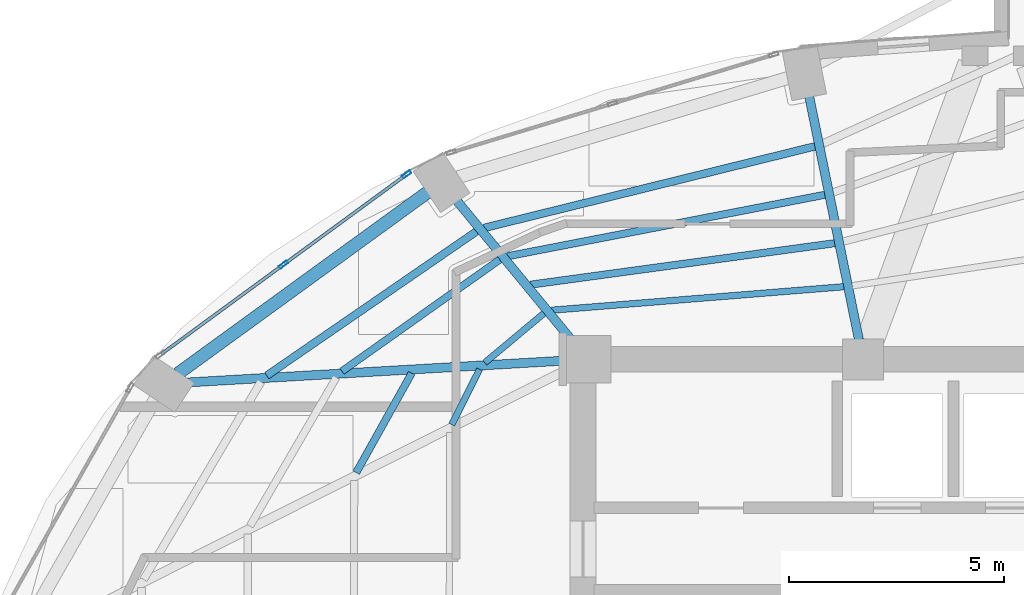
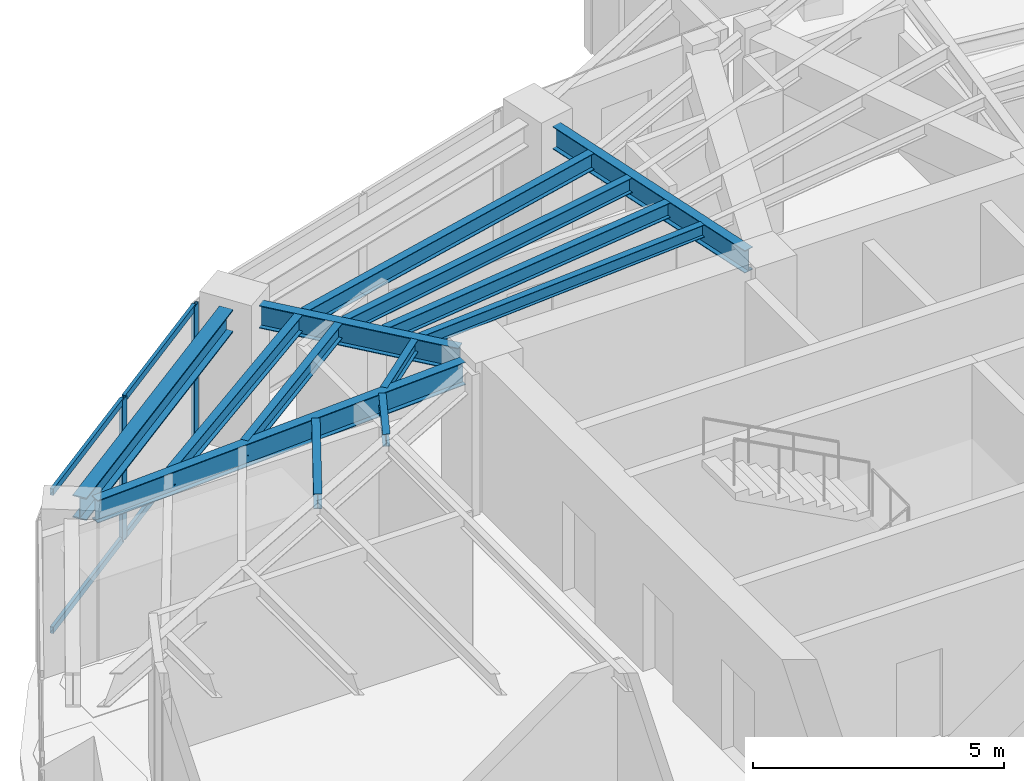
# One storey, part 7 of 20: 13 beams, 6 members, 1 element without a shape of its own.
"""IFC4 building model written with IfcOpenShell, lengths in metres."""

from ifc_helpers import new_model, si_unit, direction, frame, origin, origin_2d, place, context, subcontext, project, spatial, hollow_rectangle, i_section, extrude, material, layer, layer_set, material_profile, profile_set, type_object, element, aggregate, save


model = new_model("IFC4")

# Units and contexts
model_context = context("Model", 3, precision=1e-05, world=origin(), true_north=direction((0.0, 1.0)))
body_context = subcontext(model_context, "Body", "Model", "MODEL_VIEW")
ifc_project = project(units=[si_unit("LENGTHUNIT", "METRE"), si_unit("AREAUNIT", "SQUARE_METRE"), si_unit("VOLUMEUNIT", "CUBIC_METRE"), si_unit("PLANEANGLEUNIT", "RADIAN"), si_unit("MASSUNIT", "GRAM", prefix="KILO")], contexts=[model_context])

# Site, building, storey
site_placement = place(None, origin())
site = spatial("IfcSite", under=ifc_project, at=site_placement, CompositionType="ELEMENT")
building_placement = place(site_placement, origin())
building = spatial("IfcBuilding", under=site, at=building_placement, Name="Lazwardi Medical Tower", CompositionType="ELEMENT")
storey_placement = place(building_placement, frame((0.0, 0.0, 149.23193359375)))
storey = spatial("IfcBuildingStorey", under=building, at=storey_placement, Name="L38", CompositionType="ELEMENT", Elevation=149.23193359375)

# Beams
ifc_material_1 = material(Name="Steel S355", Category="steel")
ifc_material_profile_1 = material_profile(ifc_material_1, i_section(OverallWidth=0.300048828125, OverallDepth=0.550048828125, WebThickness=0.014892578125, FlangeThickness=0.029052734375, at=origin_2d()), Name="HEB 550")
ifc_profile_set_1 = profile_set([ifc_material_profile_1], Name="Steel S355")
beam_type_1 = type_object("IfcBeamType", Name="BM-RB-Z3", PredefinedType="BEAM", material=ifc_profile_set_1)
beam_1_placement = place(storey_placement, frame((22.689697265625, 39.479248046875, 3.153076171875), z_axis=(-0.809127570774, -0.587633026824, 0.0), x_axis=(0.587633026824, -0.809127570774, 0.0)))
element("IfcBeam", 1, at=beam_1_placement, inside=storey, type_object=beam_type_1, Name="Ring beam RB-04 B10 L38", PredefinedType="BEAM", context=body_context, shape_type="SweptSolid", body=[
    extrude(i_section(OverallWidth=0.300048828125, OverallDepth=0.550048828125, WebThickness=0.014892578125, FlangeThickness=0.029052734375, at=origin_2d()), origin(), (0.0, 0.0, 1.0), 7.170166015625),
])
ifc_material_profile_2 = material_profile(ifc_material_1, i_section(OverallWidth=0.2099609375, OverallDepth=0.550048828125, WebThickness=0.010986328125, FlangeThickness=0.01708984375, at=origin_2d()), Name="IPE 550")
ifc_profile_set_2 = profile_set([ifc_material_profile_2], Name="Steel S355")
beam_type_2 = type_object("IfcBeamType", Name="BM-RG-W2", PredefinedType="BEAM", material=ifc_profile_set_2)
beam_2_placement = place(storey_placement, frame((31.552001953125, 41.7001953125, 3.153076171875), z_axis=(0.200429485343, -0.979708130723, 0.0), x_axis=(0.979708130723, 0.200429485343, 0.0)))
element("IfcBeam", 2, at=beam_2_placement, inside=storey, type_object=beam_type_2, Name="Radial girder RG-03 R09 L38", PredefinedType="BEAM", context=body_context, shape_type="SweptSolid", body=[
    extrude(i_section(OverallWidth=0.2099609375, OverallDepth=0.550048828125, WebThickness=0.010986328125, FlangeThickness=0.01708984375, at=origin_2d()), origin(), (0.0, 0.0, 1.0), 5.766357421875),
])
beam_3_placement = place(storey_placement, frame((23.369384765625, 39.28173828125, 3.153076171875), z_axis=(0.635555639966, -0.772055068312, 0.0), x_axis=(0.772055068312, 0.635555639966, 0.0)))
element("IfcBeam", 3, at=beam_3_placement, inside=storey, type_object=beam_type_2, Name="Radial girder RG-03 R10 L38", PredefinedType="BEAM", context=body_context, shape_type="SweptSolid", body=[
    extrude(i_section(OverallWidth=0.2099609375, OverallDepth=0.550048828125, WebThickness=0.010986328125, FlangeThickness=0.01708984375, at=origin_2d()), origin(), (0.0, 0.0, 1.0), 4.233642578125),
])
beam_4_placement = place(storey_placement, frame((17.12353515625, 35.063232421875, 3.153076171875), z_axis=(0.998330154646, 0.057765927014, 0.0), x_axis=(-0.057765927014, 0.998330154646, 0.0)))
element("IfcBeam", 4, at=beam_4_placement, inside=storey, type_object=beam_type_2, Name="Radial girder RG-03 R11 L38", PredefinedType="BEAM", context=body_context, shape_type="SweptSolid", body=[
    extrude(i_section(OverallWidth=0.2099609375, OverallDepth=0.550048828125, WebThickness=0.010986328125, FlangeThickness=0.01708984375, at=origin_2d()), origin(), (0.0, 0.0, 1.0), 8.757080078125),
])
ifc_material_profile_3 = material_profile(ifc_material_1, i_section(OverallWidth=0.179931640625, OverallDepth=0.39990234375, WebThickness=0.008544921875, FlangeThickness=0.013427734375, at=origin_2d()), Name="IPE 400")
ifc_profile_set_3 = profile_set([ifc_material_profile_3], Name="Steel S355")
beam_type_3 = type_object("IfcBeamType", Name="BM-SJ-01", PredefinedType="JOIST", material=ifc_profile_set_3)
beam_5_placement = place(storey_placement, frame((31.68603515625, 40.54638671875, 3.22802734375), z_axis=(-0.970912648168, -0.239433977597, 0.0), x_axis=(0.239433977597, -0.970912648168, 0.0)))
element("IfcBeam", 5, at=beam_5_placement, inside=storey, type_object=beam_type_3, Name="Secondary joist SJ-01 R1 B09 L38", PredefinedType="JOIST", context=body_context, shape_type="SweptSolid", body=[
    extrude(i_section(OverallWidth=0.179931640625, OverallDepth=0.39990234375, WebThickness=0.008544921875, FlangeThickness=0.013427734375, at=origin_2d()), origin(), (0.0, 0.0, 1.0), 7.91162109375),
])
beam_6_placement = place(storey_placement, frame((23.8251953125, 38.5712890625, 3.22802734375), z_axis=(-0.823932256005, -0.566688307198, 0.0), x_axis=(0.566688307198, -0.823932256005, 0.0)))
element("IfcBeam", 6, at=beam_6_placement, inside=storey, type_object=beam_type_3, Name="Secondary joist SJ-01 R1 B10 L38", PredefinedType="JOIST", context=body_context, shape_type="SweptSolid", body=[
    extrude(i_section(OverallWidth=0.179931640625, OverallDepth=0.39990234375, WebThickness=0.008544921875, FlangeThickness=0.013427734375, at=origin_2d()), origin(), (0.0, 0.0, 1.0), 5.91162109375),
])
ifc_material_profile_4 = material_profile(ifc_material_1, i_section(OverallWidth=0.169921875, OverallDepth=0.360107421875, WebThickness=0.008056640625, FlangeThickness=0.0126953125, at=origin_2d()), Name="IPE 360")
ifc_profile_set_4 = profile_set([ifc_material_profile_4], Name="Steel S355")
beam_type_4 = type_object("IfcBeamType", Name="BM-SJ-02", PredefinedType="JOIST", material=ifc_profile_set_4)
beam_7_placement = place(storey_placement, frame((31.916015625, 39.42138671875, 3.248046875), z_axis=(-0.981753035865, -0.190160396953, 0.0), x_axis=(0.190160396953, -0.981753035865, 0.0)))
element("IfcBeam", 7, at=beam_7_placement, inside=storey, type_object=beam_type_4, Name="Secondary joist SJ-02 R2 B09 L38", PredefinedType="JOIST", context=body_context, shape_type="SweptSolid", body=[
    extrude(i_section(OverallWidth=0.169921875, OverallDepth=0.360107421875, WebThickness=0.008056640625, FlangeThickness=0.0126953125, at=origin_2d()), origin(), (0.0, 0.0, 1.0), 7.50927734375),
])
beam_8_placement = place(storey_placement, frame((24.364013671875, 37.91650390625, 3.248046875), z_axis=(-0.816108950798, -0.577898070967, 0.0), x_axis=(0.577898070967, -0.816108950798, 0.0)))
element("IfcBeam", 8, at=beam_8_placement, inside=storey, type_object=beam_type_4, Name="Secondary joist SJ-02 R2 B10 L38", PredefinedType="JOIST", context=body_context, shape_type="SweptSolid", body=[
    extrude(i_section(OverallWidth=0.169921875, OverallDepth=0.360107421875, WebThickness=0.008056640625, FlangeThickness=0.0126953125, at=origin_2d()), origin(), (0.0, 0.0, 1.0), 4.487060546875),
])
beam_9_placement = place(storey_placement, frame((32.146484375, 38.297119140625, 3.248046875), z_axis=(-0.990832043476, -0.135099450852, 0.0), x_axis=(0.135099450852, -0.990832043476, 0.0)))
element("IfcBeam", 9, at=beam_9_placement, inside=storey, type_object=beam_type_4, Name="Secondary joist SJ-02 R3 B09 L38", PredefinedType="JOIST", context=body_context, shape_type="SweptSolid", body=[
    extrude(i_section(OverallWidth=0.169921875, OverallDepth=0.360107421875, WebThickness=0.008056640625, FlangeThickness=0.0126953125, at=origin_2d()), origin(), (0.0, 0.0, 1.0), 7.129150390625),
])
beam_10_placement = place(storey_placement, frame((22.3203125, 35.279296875, 3.248046875), z_axis=(-0.487099444348, -0.87334651274, 0.0), x_axis=(0.87334651274, -0.487099444348, 0.0)))
element("IfcBeam", 10, at=beam_10_placement, inside=storey, type_object=beam_type_4, Name="Secondary joist SJ-02 R3 B11 L38", PredefinedType="JOIST", context=body_context, shape_type="SweptSolid", body=[
    extrude(i_section(OverallWidth=0.169921875, OverallDepth=0.360107421875, WebThickness=0.008056640625, FlangeThickness=0.0126953125, at=origin_2d()), origin(), (0.0, 0.0, 1.0), 2.64599609375),
])
ifc_material_profile_5 = material_profile(ifc_material_1, i_section(OverallWidth=0.14990234375, OverallDepth=0.300048828125, WebThickness=0.007080078125, FlangeThickness=0.0107421875, at=origin_2d()), Name="IPE 300")
ifc_profile_set_5 = profile_set([ifc_material_profile_5], Name="Steel S355")
beam_type_5 = type_object("IfcBeamType", Name="BM-SJ-03", PredefinedType="JOIST", material=ifc_profile_set_5)
beam_11_placement = place(storey_placement, frame((32.353759765625, 37.28564453125, 3.278076171875), z_axis=(-0.996785792338, -0.08011294647, 0.0), x_axis=(0.08011294647, -0.996785792338, 0.0)))
element("IfcBeam", 11, at=beam_11_placement, inside=storey, type_object=beam_type_5, Name="Secondary joist SJ-03 R4 B09 L38", PredefinedType="JOIST", context=body_context, shape_type="SweptSolid", body=[
    extrude(i_section(OverallWidth=0.14990234375, OverallDepth=0.300048828125, WebThickness=0.007080078125, FlangeThickness=0.0107421875, at=origin_2d()), origin(), (0.0, 0.0, 1.0), 6.80810546875),
])
beam_12_placement = place(storey_placement, frame((25.391357421875, 36.668212890625, 3.278076171875), z_axis=(-0.767437193893, -0.641124132621, 0.0), x_axis=(0.641124132621, -0.767437193893, 0.0)))
element("IfcBeam", 12, at=beam_12_placement, inside=storey, type_object=beam_type_5, Name="Secondary joist SJ-03 R4 B10 L38", PredefinedType="JOIST", context=body_context, shape_type="SweptSolid", body=[
    extrude(i_section(OverallWidth=0.14990234375, OverallDepth=0.300048828125, WebThickness=0.007080078125, FlangeThickness=0.0107421875, at=origin_2d()), origin(), (0.0, 0.0, 1.0), 1.787841796875),
])
beam_13_placement = place(storey_placement, frame((23.8974609375, 35.368408203125, 3.278076171875), z_axis=(-0.450406075332, -0.892823816497, 0.0), x_axis=(0.892823816497, -0.450406075332, 0.0)))
element("IfcBeam", 13, at=beam_13_placement, inside=storey, type_object=beam_type_5, Name="Secondary joist SJ-03 R4 B11 L38", PredefinedType="JOIST", context=body_context, shape_type="SweptSolid", body=[
    extrude(i_section(OverallWidth=0.14990234375, OverallDepth=0.300048828125, WebThickness=0.007080078125, FlangeThickness=0.0107421875, at=origin_2d()), origin(), (0.0, 0.0, 1.0), 1.4365234375),
])

# Curtain wall, members
ifc_material_2 = material(Name="Anodised bronze aluminium and solar control glazing", Category="aluminium")
ifc_layer = layer(ifc_material_2, 0.195068359375)
ifc_layer_set = layer_set([ifc_layer], Name="Anodised bronze aluminium and solar control glazing")
curtain_wall_type = type_object("IfcCurtainWallType", Name="CW-SYS-03", PredefinedType="NOTDEFINED", material=ifc_layer_set)
curtain_wall_placement = place(storey_placement, origin())
curtain_wall = element("IfcCurtainWall", 14, at=curtain_wall_placement, inside=storey, type_object=curtain_wall_type, Name="L38 Unitised bronze curtain wall CW-03", PredefinedType="NOTDEFINED")
ifc_material_3 = material(Name="Anodised bronze aluminium", Category="aluminium")
ifc_material_profile_6 = material_profile(ifc_material_3, hollow_rectangle(XDim=0.074951171875, YDim=0.219970703125, WallThickness=0.00390625, at=origin_2d()), Name="ALU-MULLION 220x75x4")
ifc_profile_set_6 = profile_set([ifc_material_profile_6], Name="Anodised bronze aluminium")
member_type_1 = type_object("IfcMemberType", Name="CW-MUL-01", PredefinedType="MULLION", material=ifc_profile_set_6)
member_1_placement = place(storey_placement, frame((22.204345703125, 39.894775390625, 0.0), z_axis=(0.0, 0.0, 1.0), x_axis=(0.590833862635, -0.806793249082, 0.0)))
member_1 = element("IfcMember", 15, at=member_1_placement, type_object=member_type_1, Name="CW-03 mullion 1", PredefinedType="MULLION", context=body_context, shape_type="SweptSolid", body=[
    extrude(hollow_rectangle(XDim=0.074951171875, YDim=0.219970703125, WallThickness=0.00390625, at=origin_2d()), origin(), (0.0, 0.0, 1.0), 3.427978515625),
])
member_2_placement = place(storey_placement, frame((19.34228515625, 37.798828125, 0.0), z_axis=(0.0, 0.0, 1.0), x_axis=(0.590833862635, -0.806793249082, 0.0)))
member_2 = element("IfcMember", 16, at=member_2_placement, type_object=member_type_1, Name="CW-03 mullion 2", PredefinedType="MULLION", context=body_context, shape_type="SweptSolid", body=[
    extrude(hollow_rectangle(XDim=0.074951171875, YDim=0.219970703125, WallThickness=0.00390625, at=origin_2d()), origin(), (0.0, 0.0, 1.0), 3.427978515625),
])
ifc_material_profile_7 = material_profile(ifc_material_3, hollow_rectangle(XDim=0.074951171875, YDim=0.159912109375, WallThickness=0.00390625, at=origin_2d()), Name="ALU-TRANSOM 160x75x4")
ifc_profile_set_7 = profile_set([ifc_material_profile_7], Name="Anodised bronze aluminium")
member_type_2 = type_object("IfcMemberType", Name="CW-TRN-01", PredefinedType="USERDEFINED", material=ifc_profile_set_7)
member_3_placement = place(storey_placement, frame((22.174072265625, 39.872802734375, 0.03759765625), z_axis=(-0.806773646358, -0.590860629542, 0.0), x_axis=(0.590860629542, -0.806773646358, 0.0)))
member_3 = element("IfcMember", 17, at=member_3_placement, type_object=member_type_2, Name="CW-03 transom 1.1", ObjectType="TRANSOM", PredefinedType="USERDEFINED", context=body_context, shape_type="SweptSolid", body=[
    extrude(hollow_rectangle(XDim=0.074951171875, YDim=0.159912109375, WallThickness=0.00390625, at=origin_2d()), origin(), (0.0, 0.0, 1.0), 3.472412109375),
])
member_4_placement = place(storey_placement, frame((22.174072265625, 39.872802734375, 3.390625), z_axis=(-0.806773646358, -0.590860629542, 0.0), x_axis=(0.590860629542, -0.806773646358, 0.0)))
member_4 = element("IfcMember", 18, at=member_4_placement, type_object=member_type_2, Name="CW-03 transom 1.2", ObjectType="TRANSOM", PredefinedType="USERDEFINED", context=body_context, shape_type="SweptSolid", body=[
    extrude(hollow_rectangle(XDim=0.074951171875, YDim=0.159912109375, WallThickness=0.00390625, at=origin_2d()), origin(), (0.0, 0.0, 1.0), 3.472412109375),
])
member_5_placement = place(storey_placement, frame((19.31201171875, 37.77685546875, 0.03759765625), z_axis=(-0.806773646358, -0.590860629542, 0.0), x_axis=(0.590860629542, -0.806773646358, 0.0)))
member_5 = element("IfcMember", 19, at=member_5_placement, type_object=member_type_2, Name="CW-03 transom 2.1", ObjectType="TRANSOM", PredefinedType="USERDEFINED", context=body_context, shape_type="SweptSolid", body=[
    extrude(hollow_rectangle(XDim=0.074951171875, YDim=0.159912109375, WallThickness=0.00390625, at=origin_2d()), origin(), (0.0, 0.0, 1.0), 3.472412109375),
])
member_6_placement = place(storey_placement, frame((19.31201171875, 37.77685546875, 3.390625), z_axis=(-0.806773646358, -0.590860629542, 0.0), x_axis=(0.590860629542, -0.806773646358, 0.0)))
member_6 = element("IfcMember", 20, at=member_6_placement, type_object=member_type_2, Name="CW-03 transom 2.2", ObjectType="TRANSOM", PredefinedType="USERDEFINED", context=body_context, shape_type="SweptSolid", body=[
    extrude(hollow_rectangle(XDim=0.074951171875, YDim=0.159912109375, WallThickness=0.00390625, at=origin_2d()), origin(), (0.0, 0.0, 1.0), 3.472412109375),
])
aggregate(curtain_wall, [member_1, member_2, member_3, member_4, member_5, member_6])

save(model, "model.ifc")
